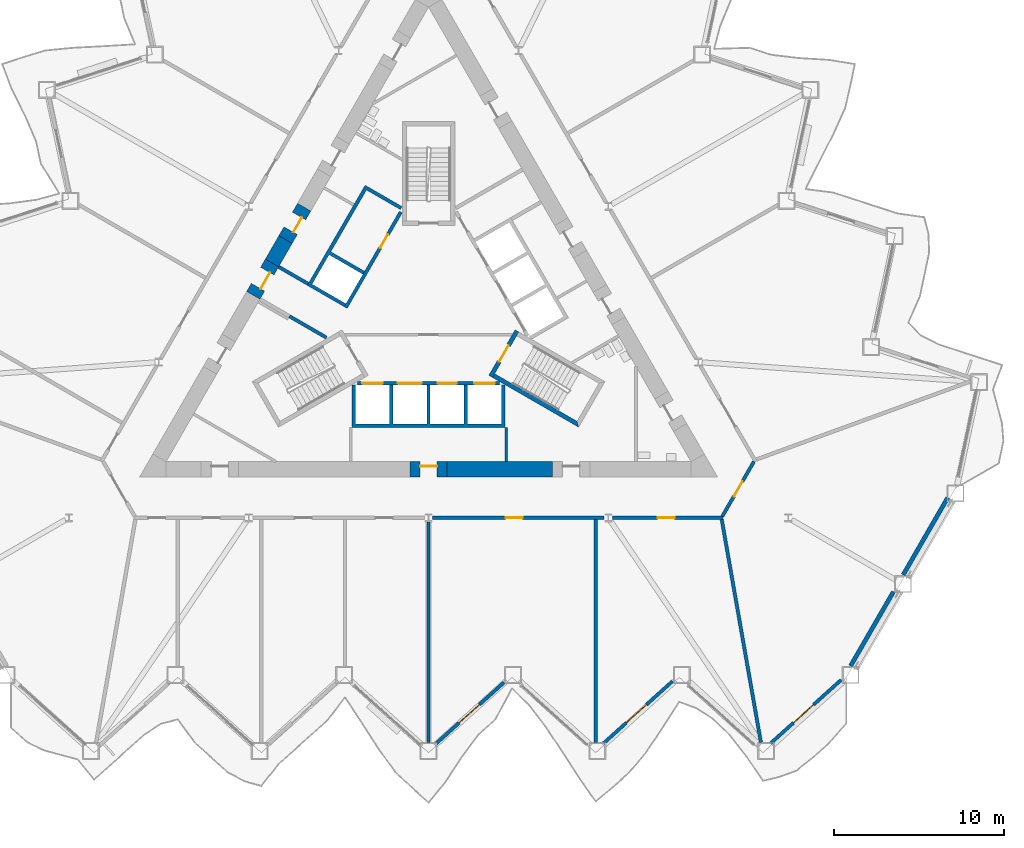
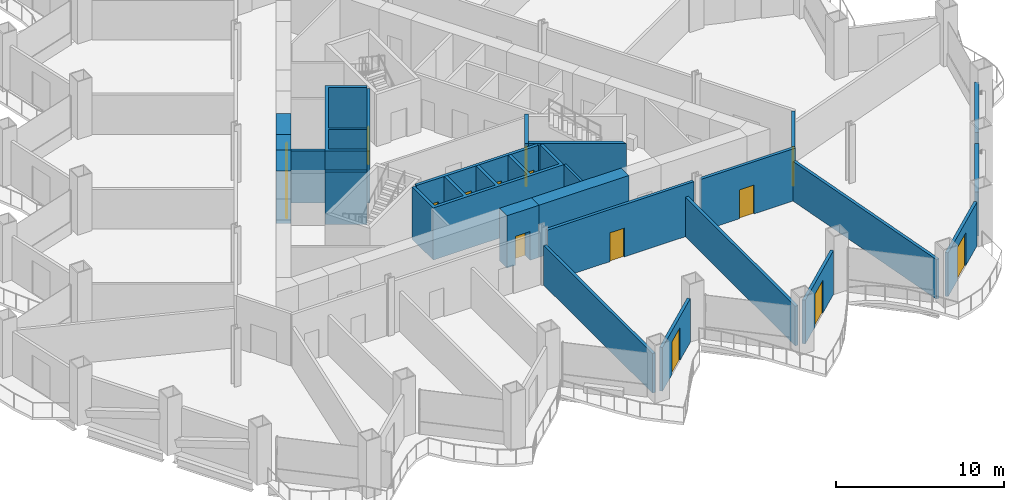
# One storey, part 10 of 21: 25 walls, 15 doors, 15 openings.
"""IFC4 building model written with IfcOpenShell, lengths in metres."""

from ifc_helpers import new_model, si_unit, direction, frame, frame_2d, origin, place, context, subcontext, project, spatial, polyline, rectangle, outline, extrude, material, layer, layer_set, type_object, element, fill, save


model = new_model("IFC4")

# Units and contexts
model_context = context("Model", 3, precision=1e-05, world=origin(), true_north=direction((0.0, 1.0)))
body_context = subcontext(model_context, "Body", "Model", "MODEL_VIEW")
ifc_project = project(units=[si_unit("LENGTHUNIT", "METRE"), si_unit("AREAUNIT", "SQUARE_METRE"), si_unit("VOLUMEUNIT", "CUBIC_METRE"), si_unit("PLANEANGLEUNIT", "RADIAN"), si_unit("MASSUNIT", "GRAM", prefix="KILO")], contexts=[model_context])

# Site, building, storey
site_placement = place(None, origin())
site = spatial("IfcSite", under=ifc_project, at=site_placement, CompositionType="ELEMENT")
building_placement = place(site_placement, origin())
building = spatial("IfcBuilding", under=site, at=building_placement, Name="Cormorant Prow Tower", CompositionType="ELEMENT")
storey_placement = place(building_placement, frame((0.0, 0.0, 72.0)))
storey = spatial("IfcBuildingStorey", under=building, at=storey_placement, Name="L15", CompositionType="ELEMENT", Elevation=72.0)

# Walls
ifc_material_1 = material(Name="Gypsum board partition")
ifc_layer_1 = layer(ifc_material_1, 0.14990234375)
ifc_layer_set_1 = layer_set([ifc_layer_1], Name="Gypsum board partition")
wall_type_1 = type_object("IfcWallType", Name="Core partition 150", PredefinedType="PARTITIONING", material=ifc_layer_set_1)
wall_1_placement = place(storey_placement, frame((4.574951171875, -6.906005859375, 0.0), z_axis=(0.0, 0.0, 1.0), x_axis=(0.0, -1.0, 0.0)))
element("IfcWall", 1, at=wall_1_placement, inside=storey, type_object=wall_type_1, Name="Service room partition", PredefinedType="PARTITIONING", context=body_context, shape_type="SweptSolid", body=[
    extrude(rectangle(XDim=2.009033203125, YDim=0.14990234375, at=frame_2d((1.00439453125, 0.0))), origin(), (0.0, 0.0, 1.0), 3.800048828125),
])
ifc_material_2 = material(Name="Concrete 8000 psi", Category="concrete")
ifc_layer_2 = layer(ifc_material_2, 0.89990234375)
ifc_layer_set_2 = layer_set([ifc_layer_2], Name="Concrete 8000 psi")
wall_type_2 = type_object("IfcWallType", Name="Core shear wall 900", PredefinedType="SHEAR", material=ifc_layer_set_2)
wall_2_placement = place(storey_placement, frame((1.10009765625, -9.364990234375, 0.0), z_axis=(0.0, 0.0, 1.0), x_axis=(1.0, 0.0, 0.0)))
element("IfcWall", 2, at=wall_2_placement, inside=storey, type_object=wall_type_2, Name="Core wall", PredefinedType="SHEAR", context=body_context, shape_type="SweptSolid", body=[
    extrude(rectangle(XDim=6.189208984375, YDim=0.89990234375, at=frame_2d((3.0947265625, 0.0))), origin(), (0.0, 0.0, 1.0), 3.800048828125),
])
wall_3_placement = place(storey_placement, frame((-8.413330078125, 4.157470703125, 0.0), z_axis=(0.0, 0.0, 1.0), x_axis=(-0.499961121316, -0.86604784924, 0.0)))
element("IfcWall", 3, at=wall_3_placement, inside=storey, type_object=wall_type_2, Name="Core wall", PredefinedType="SHEAR", context=body_context, shape_type="SweptSolid", body=[
    extrude(rectangle(XDim=1.593994140625, YDim=0.89990234375, at=frame_2d((0.796875, 0.0))), origin(), (0.0, 0.0, 1.0), 3.800048828125),
])

# Wall, opening, door
wall_4_placement = place(storey_placement, frame((-1.10009765625, -9.364990234375, 0.0), z_axis=(0.0, 0.0, 1.0), x_axis=(1.0, 0.0, 0.0)))
wall_4 = element("IfcWall", 4, at=wall_4_placement, inside=storey, type_object=wall_type_2, Name="Core wall door panel", PredefinedType="SHEAR", context=body_context, shape_type="SweptSolid", body=[
    extrude(rectangle(XDim=2.2001953125, YDim=0.89990234375, at=frame_2d((1.10009765625, 0.0))), origin(), (0.0, 0.0, 1.0), 3.800048828125),
])
opening_1_placement = place(wall_4_placement, frame((0.60009765625, 0.0, 0.0)))
opening_1 = element("IfcOpeningElement", 5, at=opening_1_placement, cuts=wall_4, Name="Opening L15-C15", PredefinedType="OPENING", context=body_context, shape_type="SweptSolid", body=[
    extrude(rectangle(XDim=1.0, YDim=2.10009765625, at=frame_2d((0.5, 1.050048828125))), frame((0.0, 0.4599609375, 0.0), z_axis=(0.0, -1.0, 0.0), x_axis=(1.0, 0.0, 0.0)), (0.0, 0.0, 1.0), 0.919921875),
])
ifc_material_3 = material(Name="Painted steel", Category="steel")
door_type_1 = type_object("IfcDoorType", Name="Service door 1000x2100", OperationType="NOTDEFINED", PredefinedType="DOOR", material=ifc_material_3)
door_1_placement = place(opening_1_placement, origin())
door_1 = element("IfcDoor", 6, at=door_1_placement, inside=storey, type_object=door_type_1, Name="Core door, Electrical room", OperationType="SINGLE_SWING_RIGHT", OverallHeight=2.10009765625, OverallWidth=1.0, PredefinedType="DOOR", context=body_context, shape_type="SweptSolid", body=[
    extrude(rectangle(XDim=1.0, YDim=2.10009765625, at=frame_2d((0.5, 1.050048828125))), frame((0.0, 0.205078125, 0.0), z_axis=(0.0, -1.0, 0.0), x_axis=(1.0, 0.0, 0.0)), (0.0, 0.0, 1.0), 0.050048828125),
])
fill(opening_1, door_1)

wall_5_placement = place(storey_placement, frame((-7.3134765625, 6.0625, 0.0), z_axis=(0.0, 0.0, 1.0), x_axis=(-0.500077893725, -0.86598042715, 0.0)))
wall_5 = element("IfcWall", 7, at=wall_5_placement, inside=storey, type_object=wall_type_2, Name="Core wall door panel", PredefinedType="SHEAR", context=body_context, shape_type="SweptSolid", body=[
    extrude(rectangle(XDim=2.199951171875, YDim=0.89990234375, at=frame_2d((1.10009765625, 0.0))), origin(), (0.0, 0.0, 1.0), 3.800048828125),
])
opening_2_placement = place(wall_5_placement, frame((0.60009765625, 0.0, 0.0)))
opening_2 = element("IfcOpeningElement", 8, at=opening_2_placement, cuts=wall_5, Name="Opening L15-C21", PredefinedType="OPENING", context=body_context, shape_type="SweptSolid", body=[
    extrude(rectangle(XDim=1.0, YDim=2.10009765625, at=frame_2d((0.5, 1.050048828125))), frame((0.0, 0.4599609375, 0.0), z_axis=(0.0, -1.0, 0.0), x_axis=(1.0, 0.0, 0.0)), (0.0, 0.0, 1.0), 0.919921875),
])
door_2_placement = place(opening_2_placement, origin())
door_2 = element("IfcDoor", 9, at=door_2_placement, inside=storey, type_object=door_type_1, Name="Core door, Refuse store", OperationType="SINGLE_SWING_RIGHT", OverallHeight=2.10009765625, OverallWidth=1.0, PredefinedType="DOOR", context=body_context, shape_type="SweptSolid", body=[
    extrude(rectangle(XDim=1.0, YDim=2.10009765625, at=frame_2d((0.5, 1.050048828125))), frame((0.0, 0.205078125, 0.0), z_axis=(0.0, -1.0, 0.0), x_axis=(1.0, 0.0, 0.0)), (0.0, 0.0, 1.0), 0.050048828125),
])
fill(opening_2, door_2)

wall_6_placement = place(storey_placement, frame((-9.210205078125, 2.777099609375, 0.0), z_axis=(0.0, 0.0, 1.0), x_axis=(-0.500077893725, -0.86598042715, 0.0)))
wall_6 = element("IfcWall", 10, at=wall_6_placement, inside=storey, type_object=wall_type_2, Name="Core wall door panel", PredefinedType="SHEAR", context=body_context, shape_type="SweptSolid", body=[
    extrude(rectangle(XDim=2.199951171875, YDim=0.89990234375, at=frame_2d((1.10009765625, 0.0))), origin(), (0.0, 0.0, 1.0), 3.800048828125),
])
opening_3_placement = place(wall_6_placement, frame((0.550048828125, 0.0, 0.0)))
opening_3 = element("IfcOpeningElement", 11, at=opening_3_placement, cuts=wall_6, Name="Opening L15-C25", PredefinedType="OPENING", context=body_context, shape_type="SweptSolid", body=[
    extrude(rectangle(XDim=1.10009765625, YDim=2.10009765625, at=frame_2d((0.550048828125, 1.050048828125))), frame((0.0, 0.4599609375, 0.0), z_axis=(0.0, -1.0, 0.0), x_axis=(1.0, 0.0, 0.0)), (0.0, 0.0, 1.0), 0.919921875),
])
ifc_material_4 = material(Name="Painted steel", Category="steel")
door_type_2 = type_object("IfcDoorType", Name="Core door 1100x2100", OperationType="NOTDEFINED", PredefinedType="DOOR", material=ifc_material_4)
door_3_placement = place(opening_3_placement, origin())
door_3 = element("IfcDoor", 12, at=door_3_placement, inside=storey, type_object=door_type_2, Name="Core door, lift lobby", OperationType="SINGLE_SWING_LEFT", OverallHeight=2.10009765625, OverallWidth=1.10009765625, PredefinedType="DOOR", context=body_context, shape_type="SweptSolid", body=[
    extrude(rectangle(XDim=1.10009765625, YDim=2.10009765625, at=frame_2d((0.550048828125, 1.050048828125))), frame((0.0, 0.205078125, 0.0), z_axis=(0.0, -1.0, 0.0), x_axis=(1.0, 0.0, 0.0)), (0.0, 0.0, 1.0), 0.050048828125),
])
fill(opening_3, door_3)

ifc_material_5 = material(Name="Gypsum board corridor wall")
ifc_layer_3 = layer(ifc_material_5, 0.199951171875)
ifc_layer_set_3 = layer_set([ifc_layer_3], Name="Gypsum board corridor wall")
wall_type_3 = type_object("IfcWallType", Name="Corridor wall 200", PredefinedType="PARTITIONING", material=ifc_layer_set_3)
wall_7_placement = place(storey_placement, frame((0.2421875, -12.215087890625, 0.0), z_axis=(0.0, 0.0, 1.0), x_axis=(1.0, 0.0, 0.0)))
wall_7 = element("IfcWall", 13, at=wall_7_placement, inside=storey, type_object=wall_type_3, Name="Corridor wall", PredefinedType="PARTITIONING", context=body_context, shape_type="SweptSolid", body=[
    extrude(rectangle(XDim=10.093994140625, YDim=0.199951171875, at=frame_2d((5.046875, 0.0))), origin(), (0.0, 0.0, 1.0), 3.800048828125),
])
opening_4_placement = place(wall_7_placement, frame((4.294189453125, 0.0, 0.0)))
opening_4 = element("IfcOpeningElement", 14, at=opening_4_placement, cuts=wall_7, Name="Opening L15-F05", PredefinedType="OPENING", context=body_context, shape_type="SweptSolid", body=[
    extrude(rectangle(XDim=1.0, YDim=2.10009765625, at=frame_2d((0.5, 1.050048828125))), frame((0.0, 0.10986328125, 0.0), z_axis=(0.0, -1.0, 0.0), x_axis=(1.0, 0.0, 0.0)), (0.0, 0.0, 1.0), 0.219970703125),
])
ifc_material_6 = material(Name="Timber door leaf", Category="wood")
door_type_3 = type_object("IfcDoorType", Name="Office door 1000x2100", OperationType="NOTDEFINED", PredefinedType="DOOR", material=ifc_material_6)
door_4_placement = place(opening_4_placement, origin())
door_4 = element("IfcDoor", 15, at=door_4_placement, inside=storey, type_object=door_type_3, Name="Open-plan office door", OperationType="SINGLE_SWING_LEFT", OverallHeight=2.10009765625, OverallWidth=1.0, PredefinedType="DOOR", context=body_context, shape_type="SweptSolid", body=[
    extrude(rectangle(XDim=1.0, YDim=2.10009765625, at=frame_2d((0.5, 1.050048828125))), frame((0.0, 0.02490234375, 0.0), z_axis=(0.0, -1.0, 0.0), x_axis=(1.0, 0.0, 0.0)), (0.0, 0.0, 1.0), 0.050048828125),
])
fill(opening_4, door_4)

wall_8_placement = place(storey_placement, frame((10.82080078125, -12.215087890625, 0.0), z_axis=(0.0, 0.0, 1.0), x_axis=(1.0, 0.0, 0.0)))
wall_8 = element("IfcWall", 16, at=wall_8_placement, inside=storey, type_object=wall_type_3, Name="Corridor wall", PredefinedType="PARTITIONING", context=body_context, shape_type="SweptSolid", body=[
    extrude(rectangle(XDim=6.510009765625, YDim=0.199951171875, at=frame_2d((3.2548828125, 0.0))), origin(), (0.0, 0.0, 1.0), 3.800048828125),
])
opening_5_placement = place(wall_8_placement, frame((2.65478515625, 0.0, 0.0)))
opening_5 = element("IfcOpeningElement", 17, at=opening_5_placement, cuts=wall_8, Name="Opening L15-F06", PredefinedType="OPENING", context=body_context, shape_type="SweptSolid", body=[
    extrude(rectangle(XDim=1.0, YDim=2.10009765625, at=frame_2d((0.5, 1.050048828125))), frame((0.0, 0.10986328125, 0.0), z_axis=(0.0, -1.0, 0.0), x_axis=(1.0, 0.0, 0.0)), (0.0, 0.0, 1.0), 0.219970703125),
])
door_5_placement = place(opening_5_placement, origin())
door_5 = element("IfcDoor", 18, at=door_5_placement, inside=storey, type_object=door_type_3, Name="Tenant suite door", OperationType="SINGLE_SWING_LEFT", OverallHeight=2.10009765625, OverallWidth=1.0, PredefinedType="DOOR", context=body_context, shape_type="SweptSolid", body=[
    extrude(rectangle(XDim=1.0, YDim=2.10009765625, at=frame_2d((0.5, 1.050048828125))), frame((0.0, 0.02490234375, 0.0), z_axis=(0.0, -1.0, 0.0), x_axis=(1.0, 0.0, 0.0)), (0.0, 0.0, 1.0), 0.050048828125),
])
fill(opening_5, door_5)

wall_9_placement = place(storey_placement, frame((17.281005859375, -12.12841796875, 0.0), z_axis=(0.0, 0.0, 1.0), x_axis=(0.499958791762, 0.866049194065, 0.0)))
wall_9 = element("IfcWall", 19, at=wall_9_placement, inside=storey, type_object=wall_type_3, Name="Corridor wall", PredefinedType="PARTITIONING", context=body_context, shape_type="SweptSolid", body=[
    extrude(rectangle(XDim=3.725830078125, YDim=0.199951171875, at=frame_2d((1.86279296875, 0.0))), origin(), (0.0, 0.0, 1.0), 3.800048828125),
])
opening_6_placement = place(wall_9_placement, frame((1.363037109375, 0.0, 0.0)))
opening_6 = element("IfcOpeningElement", 20, at=opening_6_placement, cuts=wall_9, Name="Opening L15-F07", PredefinedType="OPENING", context=body_context, shape_type="SweptSolid", body=[
    extrude(rectangle(XDim=1.0, YDim=2.10009765625, at=frame_2d((0.5, 1.050048828125))), frame((0.0, 0.10986328125, 0.0), z_axis=(0.0, -1.0, 0.0), x_axis=(1.0, 0.0, 0.0)), (0.0, 0.0, 1.0), 0.219970703125),
])
door_6_placement = place(opening_6_placement, origin())
door_6 = element("IfcDoor", 21, at=door_6_placement, inside=storey, type_object=door_type_3, Name="Tenant suite door", OperationType="SINGLE_SWING_LEFT", OverallHeight=2.10009765625, OverallWidth=1.0, PredefinedType="DOOR", context=body_context, shape_type="SweptSolid", body=[
    extrude(rectangle(XDim=1.0, YDim=2.10009765625, at=frame_2d((0.5, 1.050048828125))), frame((0.0, 0.02490234375, 0.0), z_axis=(0.0, -1.0, 0.0), x_axis=(1.0, 0.0, 0.0)), (0.0, 0.0, 1.0), 0.050048828125),
])
fill(opening_6, door_6)

# Walls
ifc_material_7 = material(Name="Gypsum board demising wall")
ifc_layer_4 = layer(ifc_material_7, 0.199951171875)
ifc_layer_set_4 = layer_set([ifc_layer_4], Name="Gypsum board demising wall")
wall_type_4 = type_object("IfcWallType", Name="Demising wall 200", PredefinedType="PARTITIONING", material=ifc_layer_set_4)
wall_10_placement = place(storey_placement, frame((17.248291015625, -12.3134765625, 0.0), z_axis=(0.0, 0.0, 1.0), x_axis=(0.173132292437, -0.984898578187, 0.0)))
element("IfcWall", 22, at=wall_10_placement, inside=storey, type_object=wall_type_4, Name="Demising wall", PredefinedType="PARTITIONING", context=body_context, shape_type="SweptSolid", body=[
    extrude(rectangle(XDim=13.308837890625, YDim=0.199951171875, at=frame_2d((6.654296875, 0.0))), origin(), (0.0, 0.0, 1.0), 2.88525390625),
])
wall_11_placement = place(storey_placement, frame((9.833984375, -25.42138671875, 0.0), z_axis=(0.0, 0.0, 1.0), x_axis=(0.0, 1.0, 0.0)))
element("IfcWall", 23, at=wall_11_placement, inside=storey, type_object=wall_type_4, Name="Demising wall", PredefinedType="PARTITIONING", context=body_context, shape_type="SweptSolid", body=[
    extrude(rectangle(XDim=13.1064453125, YDim=0.199951171875, at=frame_2d((6.55322265625, 0.0))), origin(), (0.0, 0.0, 1.0), 2.88525390625),
])
wall_12_placement = place(storey_placement, frame((0.0, -25.42138671875, 0.0), z_axis=(0.0, 0.0, 1.0), x_axis=(0.0, 1.0, 0.0)))
element("IfcWall", 24, at=wall_12_placement, inside=storey, type_object=wall_type_4, Name="Demising wall", PredefinedType="PARTITIONING", context=body_context, shape_type="SweptSolid", body=[
    extrude(rectangle(XDim=12.964111328125, YDim=0.199951171875, at=frame_2d((6.48193359375, 0.0))), origin(), (0.0, 0.0, 1.0), 2.88525390625),
])

# Wall, openings, doors
ifc_material_8 = material(Name="Concrete 5000 psi", Category="concrete")
ifc_layer_5 = layer(ifc_material_8, 0.199951171875)
ifc_layer_set_5 = layer_set([ifc_layer_5], Name="Concrete 5000 psi")
wall_type_5 = type_object("IfcWallType", Name="Lift lobby wall 200", PredefinedType="SOLIDWALL", material=ifc_layer_set_5)
wall_13_placement = place(storey_placement, frame((-4.1865234375, -4.300048828125, 0.0), z_axis=(0.0, 0.0, 1.0), x_axis=(1.0, 0.0, 0.0)))
wall_13 = element("IfcWall", 25, at=wall_13_placement, inside=storey, type_object=wall_type_5, Name="Lift lobby wall, S block", PredefinedType="SOLIDWALL", context=body_context, shape_type="SweptSolid", body=[
    extrude(rectangle(XDim=8.373046875, YDim=0.199951171875, at=frame_2d((4.1865234375, 0.0))), origin(), (0.0, 0.0, 1.0), 3.800048828125),
])
opening_7_placement = place(wall_13_placement, frame((0.28662109375, 0.0, 0.0)))
opening_7 = element("IfcOpeningElement", 26, at=opening_7_placement, cuts=wall_13, Name="Opening L15-C01", PredefinedType="OPENING", context=body_context, shape_type="SweptSolid", body=[
    extrude(rectangle(XDim=1.199951171875, YDim=2.10009765625, at=frame_2d((0.60009765625, 1.050048828125))), frame((0.0, 0.10986328125, 0.0), z_axis=(0.0, -1.0, 0.0), x_axis=(1.0, 0.0, 0.0)), (0.0, 0.0, 1.0), 0.219970703125),
])
opening_8_placement = place(wall_13_placement, frame((2.38671875, 0.0, 0.0)))
opening_8 = element("IfcOpeningElement", 27, at=opening_8_placement, cuts=wall_13, Name="Opening L15-C02", PredefinedType="OPENING", context=body_context, shape_type="SweptSolid", body=[
    extrude(rectangle(XDim=1.39990234375, YDim=2.10009765625, at=frame_2d((0.699951171875, 1.050048828125))), frame((0.0, 0.10986328125, 0.0), z_axis=(0.0, -1.0, 0.0), x_axis=(1.0, 0.0, 0.0)), (0.0, 0.0, 1.0), 0.219970703125),
])
opening_9_placement = place(wall_13_placement, frame((4.736572265625, 0.0, 0.0)))
opening_9 = element("IfcOpeningElement", 28, at=opening_9_placement, cuts=wall_13, Name="Opening L15-C03", PredefinedType="OPENING", context=body_context, shape_type="SweptSolid", body=[
    extrude(rectangle(XDim=1.10009765625, YDim=2.10009765625, at=frame_2d((0.550048828125, 1.050048828125))), frame((0.0, 0.10986328125, 0.0), z_axis=(0.0, -1.0, 0.0), x_axis=(1.0, 0.0, 0.0)), (0.0, 0.0, 1.0), 0.219970703125),
])
opening_10_placement = place(wall_13_placement, frame((6.88671875, 0.0, 0.0)))
opening_10 = element("IfcOpeningElement", 29, at=opening_10_placement, cuts=wall_13, Name="Opening L15-C04", PredefinedType="OPENING", context=body_context, shape_type="SweptSolid", body=[
    extrude(rectangle(XDim=1.199951171875, YDim=2.10009765625, at=frame_2d((0.60009765625, 1.050048828125))), frame((0.0, 0.10986328125, 0.0), z_axis=(0.0, -1.0, 0.0), x_axis=(1.0, 0.0, 0.0)), (0.0, 0.0, 1.0), 0.219970703125),
])
ifc_material_9 = material(Name="Painted steel", Category="steel")
door_type_4 = type_object("IfcDoorType", Name="Firefighting lift landing door 1200x2100", OperationType="SLIDING_TO_LEFT", PredefinedType="DOOR", material=ifc_material_9)
door_7_placement = place(opening_7_placement, origin())
door_7 = element("IfcDoor", 30, at=door_7_placement, inside=storey, type_object=door_type_4, Name="Landing door FL1", OperationType="SLIDING_TO_LEFT", OverallHeight=2.10009765625, OverallWidth=1.199951171875, PredefinedType="DOOR", context=body_context, shape_type="SweptSolid", body=[
    extrude(rectangle(XDim=1.199951171875, YDim=2.10009765625, at=frame_2d((0.60009765625, 1.050048828125))), frame((0.0, 0.02490234375, 0.0), z_axis=(0.0, -1.0, 0.0), x_axis=(1.0, 0.0, 0.0)), (0.0, 0.0, 1.0), 0.050048828125),
])
fill(opening_7, door_7)
door_8_placement = place(opening_10_placement, origin())
door_8 = element("IfcDoor", 31, at=door_8_placement, inside=storey, type_object=door_type_4, Name="Landing door FL2", OperationType="SLIDING_TO_LEFT", OverallHeight=2.10009765625, OverallWidth=1.199951171875, PredefinedType="DOOR", context=body_context, shape_type="SweptSolid", body=[
    extrude(rectangle(XDim=1.199951171875, YDim=2.10009765625, at=frame_2d((0.60009765625, 1.050048828125))), frame((0.0, 0.02490234375, 0.0), z_axis=(0.0, -1.0, 0.0), x_axis=(1.0, 0.0, 0.0)), (0.0, 0.0, 1.0), 0.050048828125),
])
fill(opening_10, door_8)
ifc_material_10 = material(Name="Painted steel", Category="steel")
door_type_5 = type_object("IfcDoorType", Name="Lift landing door 1100x2100", OperationType="SLIDING_TO_LEFT", PredefinedType="DOOR", material=ifc_material_10)
door_9_placement = place(opening_9_placement, origin())
door_9 = element("IfcDoor", 32, at=door_9_placement, inside=storey, type_object=door_type_5, Name="Landing door LR1", OperationType="SLIDING_TO_LEFT", OverallHeight=2.10009765625, OverallWidth=1.10009765625, PredefinedType="DOOR", context=body_context, shape_type="SweptSolid", body=[
    extrude(rectangle(XDim=1.10009765625, YDim=2.10009765625, at=frame_2d((0.550048828125, 1.050048828125))), frame((0.0, 0.02490234375, 0.0), z_axis=(0.0, -1.0, 0.0), x_axis=(1.0, 0.0, 0.0)), (0.0, 0.0, 1.0), 0.050048828125),
])
fill(opening_9, door_9)
ifc_material_11 = material(Name="Painted steel", Category="steel")
door_type_6 = type_object("IfcDoorType", Name="Service lift landing door 1400x2100", OperationType="SLIDING_TO_LEFT", PredefinedType="DOOR", material=ifc_material_11)
door_10_placement = place(opening_8_placement, origin())
door_10 = element("IfcDoor", 33, at=door_10_placement, inside=storey, type_object=door_type_6, Name="Landing door SL1", OperationType="SLIDING_TO_LEFT", OverallHeight=2.10009765625, OverallWidth=1.39990234375, PredefinedType="DOOR", context=body_context, shape_type="SweptSolid", body=[
    extrude(rectangle(XDim=1.39990234375, YDim=2.10009765625, at=frame_2d((0.699951171875, 1.050048828125))), frame((0.0, 0.02490234375, 0.0), z_axis=(0.0, -1.0, 0.0), x_axis=(1.0, 0.0, 0.0)), (0.0, 0.0, 1.0), 0.050048828125),
])
fill(opening_8, door_10)

# Wall, opening, door
wall_14_placement = place(storey_placement, frame((-1.630615234375, 5.775634765625, 0.0), z_axis=(0.0, 0.0, 1.0), x_axis=(-0.499992876559, -0.866029516466, 0.0)))
wall_14 = element("IfcWall", 34, at=wall_14_placement, inside=storey, type_object=wall_type_5, Name="Lift lobby wall, WNW block", PredefinedType="SOLIDWALL", context=body_context, shape_type="SweptSolid", body=[
    extrude(rectangle(XDim=6.486328125, YDim=0.199951171875, at=frame_2d((3.2431640625, 0.0))), origin(), (0.0, 0.0, 1.0), 3.800048828125),
])
opening_11_placement = place(wall_14_placement, frame((1.53662109375, 0.0, 0.0)))
opening_11 = element("IfcOpeningElement", 35, at=opening_11_placement, cuts=wall_14, Name="Opening L15-C09", PredefinedType="OPENING", context=body_context, shape_type="SweptSolid", body=[
    extrude(rectangle(XDim=0.89990234375, YDim=2.10009765625, at=frame_2d((0.449951171875, 1.050048828125))), frame((0.0, 0.10986328125, 0.0), z_axis=(0.0, -1.0, 0.0), x_axis=(1.0, 0.0, 0.0)), (0.0, 0.0, 1.0), 0.219970703125),
])
ifc_material_12 = material(Name="Painted steel", Category="steel")
door_type_7 = type_object("IfcDoorType", Name="Service door 900x2100", OperationType="NOTDEFINED", PredefinedType="DOOR", material=ifc_material_12)
door_11_placement = place(opening_11_placement, origin())
door_11 = element("IfcDoor", 36, at=door_11_placement, inside=storey, type_object=door_type_7, Name="Service door, Linen store", OperationType="SINGLE_SWING_LEFT", OverallHeight=2.10009765625, OverallWidth=0.89990234375, PredefinedType="DOOR", context=body_context, shape_type="SweptSolid", body=[
    extrude(rectangle(XDim=0.89990234375, YDim=2.10009765625, at=frame_2d((0.449951171875, 1.050048828125))), frame((0.0, 0.02490234375, 0.0), z_axis=(0.0, -1.0, 0.0), x_axis=(1.0, 0.0, 0.0)), (0.0, 0.0, 1.0), 0.050048828125),
])
fill(opening_11, door_11)

# Walls
ifc_material_13 = material(Name="Concrete 8000 psi", Category="concrete")
ifc_layer_6 = layer(ifc_material_13, 0.199951171875)
ifc_layer_set_6 = layer_set([ifc_layer_6], Name="Concrete 8000 psi")
wall_type_6 = type_object("IfcWallType", Name="Lift shaft wall 200", PredefinedType="SHEAR", material=ifc_layer_set_6)
wall_15_placement = place(storey_placement, origin())
element("IfcWall", 37, at=wall_15_placement, inside=storey, type_object=wall_type_6, Name="Lift shaft walls, S block", PredefinedType="SHEAR", context=body_context, shape_type="SweptSolid", body=[
    extrude(outline(polyline([(4.5, -4.39990234375), (4.5, -6.906005859375), (-4.5, -6.906005859375), (-4.5, -4.39990234375), (-4.300048828125, -4.39990234375), (-4.300048828125, -6.699951171875), (-2.300048828125, -6.699951171875), (-2.300048828125, -4.39990234375), (-2.10009765625, -4.39990234375), (-2.10009765625, -6.699951171875), (-0.10009765625, -6.699951171875), (-0.10009765625, -4.39990234375), (0.10009765625, -4.39990234375), (0.10009765625, -6.699951171875), (2.10009765625, -6.699951171875), (2.10009765625, -4.39990234375), (2.300048828125, -4.39990234375), (2.300048828125, -6.699951171875), (4.300048828125, -6.699951171875), (4.300048828125, -4.39990234375), (4.5, -4.39990234375)])), origin(), (0.0, 0.0, 1.0), 3.800048828125),
])
wall_16_placement = place(storey_placement, origin())
element("IfcWall", 38, at=wall_16_placement, inside=storey, type_object=wall_type_6, Name="Lift shaft walls, WNW block", PredefinedType="SHEAR", context=body_context, shape_type="SweptSolid", body=[
    extrude(outline(polyline([(-6.060546875, -1.697021484375), (-8.230712890625, -0.444091796875), (-8.130859375, -0.27099609375), (-5.96044921875, -1.52392578125), (-6.060546875, -1.697021484375)])), origin(), (0.0, 0.0, 1.0), 3.800048828125),
])
wall_17_placement = place(storey_placement, origin())
element("IfcWall", 39, at=wall_17_placement, inside=storey, type_object=wall_type_6, Name="Lift shaft walls, WNW block", PredefinedType="SHEAR", context=body_context, shape_type="SweptSolid", body=[
    extrude(outline(polyline([(-4.96044921875, 0.2080078125), (-7.130859375, 1.461181640625), (-3.730712890625, 7.35009765625), (-1.560546875, 6.09716796875), (-1.660400390625, 5.923828125), (-3.65234375, 7.073974609375), (-5.75244140625, 3.4365234375), (-3.760498046875, 2.28662109375), (-3.860595703125, 2.11328125), (-5.852294921875, 3.263427734375), (-6.852294921875, 1.53125), (-4.860595703125, 0.38134765625), (-4.96044921875, 0.2080078125)])), origin(), (0.0, 0.0, 1.0), 3.800048828125),
])
wall_18_placement = place(storey_placement, frame((-7.080810546875, 1.547607421875, 0.0), z_axis=(0.0, 0.0, 1.0), x_axis=(-0.865983199114, 0.50007309351, 0.0)))
element("IfcWall", 40, at=wall_18_placement, inside=storey, type_object=wall_type_6, Name="Lobby passage wall", PredefinedType="SHEAR", context=body_context, shape_type="SweptSolid", body=[
    extrude(rectangle(XDim=2.009033203125, YDim=0.199951171875, at=frame_2d((1.00439453125, 0.0))), origin(), (0.0, 0.0, 1.0), 3.800048828125),
])
ifc_material_14 = material(Name="Concrete 8000 psi", Category="concrete")
ifc_layer_7 = layer(ifc_material_14, 0.25)
ifc_layer_set_7 = layer_set([ifc_layer_7], Name="Concrete 8000 psi")
wall_type_7 = type_object("IfcWallType", Name="Stair wall 250", PredefinedType="SHEAR", material=ifc_layer_set_7)
wall_19_placement = place(storey_placement, origin())
element("IfcWall", 41, at=wall_19_placement, inside=storey, type_object=wall_type_7, Name="Stair ST2 enclosure wall (flank)", PredefinedType="SHEAR", context=body_context, shape_type="SweptSolid", body=[
    extrude(outline(polyline([(3.76318359375, -3.95556640625), (8.82958984375, -6.880615234375), (8.738037109375, -6.5390625), (3.88818359375, -3.739013671875), (3.76318359375, -3.95556640625)])), origin(), (0.0, 0.0, 1.0), 3.800048828125),
])

# Wall, opening, door
wall_20_placement = place(storey_placement, frame((3.655029296875, -3.89306640625, 0.0), z_axis=(0.0, 0.0, 1.0), x_axis=(0.499982516597, 0.866035497597, 0.0)))
wall_20 = element("IfcWall", 42, at=wall_20_placement, inside=storey, type_object=wall_type_7, Name="Stair ST2 door wall", PredefinedType="SHEAR", context=body_context, shape_type="SweptSolid", body=[
    extrude(rectangle(XDim=3.087890625, YDim=0.25, at=frame_2d((1.5439453125, 0.0))), origin(), (0.0, 0.0, 1.0), 3.800048828125),
])
opening_12_placement = place(wall_20_placement, frame((0.993896484375, 0.0, 0.0)))
opening_12 = element("IfcOpeningElement", 43, at=opening_12_placement, cuts=wall_20, Name="Opening L15-C12", PredefinedType="OPENING", context=body_context, shape_type="SweptSolid", body=[
    extrude(rectangle(XDim=1.10009765625, YDim=2.10009765625, at=frame_2d((0.550048828125, 1.050048828125))), frame((0.0, 0.135009765625, 0.0), z_axis=(0.0, -1.0, 0.0), x_axis=(1.0, 0.0, 0.0)), (0.0, 0.0, 1.0), 0.27001953125),
])
ifc_material_15 = material(Name="Painted steel", Category="steel")
door_type_8 = type_object("IfcDoorType", Name="Stair door 1100x2100", OperationType="NOTDEFINED", PredefinedType="DOOR", material=ifc_material_15)
door_12_placement = place(opening_12_placement, origin())
door_12 = element("IfcDoor", 44, at=door_12_placement, inside=storey, type_object=door_type_8, Name="Stair ST2 door", OperationType="SINGLE_SWING_RIGHT", OverallHeight=2.10009765625, OverallWidth=1.10009765625, PredefinedType="DOOR", context=body_context, shape_type="SweptSolid", body=[
    extrude(rectangle(XDim=1.10009765625, YDim=2.10009765625, at=frame_2d((0.550048828125, 1.050048828125))), frame((0.0, 0.02490234375, 0.0), z_axis=(0.0, -1.0, 0.0), x_axis=(1.0, 0.0, 0.0)), (0.0, 0.0, 1.0), 0.050048828125),
])
fill(opening_12, door_12)

# Walls
ifc_material_16 = material(Name="Terracotta", Category="masonry")
ifc_layer_8 = layer(ifc_material_16, 0.25)
ifc_layer_set_8 = layer_set([ifc_layer_8], Name="Terracotta")
wall_type_8 = type_object("IfcWallType", Name="Terracotta bay wall 250", PredefinedType="SOLIDWALL", material=ifc_layer_set_8)
wall_21_placement = place(storey_placement, frame((24.828369140625, -20.93017578125, 0.0), z_axis=(0.0, 0.0, 1.0), x_axis=(0.500021659459, 0.866012898329, 0.0)))
element("IfcWall", 45, at=wall_21_placement, inside=storey, type_object=wall_type_8, Name="Terracotta bay wall ESE00", PredefinedType="SOLIDWALL", context=body_context, shape_type="SweptSolid", body=[
    extrude(rectangle(XDim=5.038330078125, YDim=0.25, at=frame_2d((2.51904296875, 0.0))), origin(), (0.0, 0.0, 1.0), 3.18896484375),
])
wall_22_placement = place(storey_placement, frame((27.9248046875, -15.56689453125, 0.0), z_axis=(0.0, 0.0, 1.0), x_axis=(0.500009302692, 0.866020032806, 0.0)))
element("IfcWall", 46, at=wall_22_placement, inside=storey, type_object=wall_type_8, Name="Terracotta bay wall ESE01", PredefinedType="SOLIDWALL", context=body_context, shape_type="SweptSolid", body=[
    extrude(rectangle(XDim=5.23095703125, YDim=0.25, at=frame_2d((2.615478515625, 0.0))), origin(), (0.0, 0.0, 1.0), 3.18896484375),
])

# Wall, opening, door
ifc_material_17 = material(Name="Terracotta", Category="masonry")
ifc_layer_9 = layer(ifc_material_17, 0.199951171875)
ifc_layer_set_9 = layer_set([ifc_layer_9], Name="Terracotta")
wall_type_9 = type_object("IfcWallType", Name="Terracotta jamb wall 200", PredefinedType="SOLIDWALL", material=ifc_layer_set_9)
wall_23_placement = place(storey_placement, frame((0.45556640625, -25.484130859375, 0.0), z_axis=(0.0, 0.0, 1.0), x_axis=(0.743130923857, 0.66914604535, 0.0)))
wall_23 = element("IfcWall", 47, at=wall_23_placement, inside=storey, type_object=wall_type_9, Name="Terracotta jamb wall S05", PredefinedType="SOLIDWALL", context=body_context, shape_type="SweptSolid", body=[
    extrude(rectangle(XDim=5.355712890625, YDim=0.199951171875, at=frame_2d((2.677734375, 0.0))), origin(), (0.0, 0.0, 1.0), 3.18896484375),
])
opening_13_placement = place(wall_23_placement, frame((1.80517578125, 0.0, 0.0)))
opening_13 = element("IfcOpeningElement", 48, at=opening_13_placement, cuts=wall_23, Name="Opening ED15.03", PredefinedType="OPENING", context=body_context, shape_type="SweptSolid", body=[
    extrude(rectangle(XDim=1.60009765625, YDim=2.39990234375, at=frame_2d((0.800048828125, 1.199951171875))), frame((0.0, 0.10986328125, 0.0), z_axis=(0.0, -1.0, 0.0), x_axis=(1.0, 0.0, 0.0)), (0.0, 0.0, 1.0), 0.219970703125),
])
ifc_material_18 = material(Name="Aluminium 6063-T6", Category="aluminium")
door_type_9 = type_object("IfcDoorType", Name="Balcony door 1600x2400", OperationType="DOUBLE_DOOR_SINGLE_SWING", PredefinedType="DOOR", material=ifc_material_18)
door_13_placement = place(opening_13_placement, origin())
door_13 = element("IfcDoor", 49, at=door_13_placement, inside=storey, type_object=door_type_9, Name="Balcony door S05 ED15.03", OperationType="DOUBLE_DOOR_SINGLE_SWING", OverallHeight=2.39990234375, OverallWidth=1.60009765625, PredefinedType="DOOR", context=body_context, shape_type="SweptSolid", body=[
    extrude(rectangle(XDim=1.60009765625, YDim=2.39990234375, at=frame_2d((0.800048828125, 1.199951171875))), frame((0.0, 0.02490234375, 0.0), z_axis=(0.0, -1.0, 0.0), x_axis=(1.0, 0.0, 0.0)), (0.0, 0.0, 1.0), 0.050048828125),
])
fill(opening_13, door_13)

wall_24_placement = place(storey_placement, frame((10.28955078125, -25.484130859375, 0.0), z_axis=(0.0, 0.0, 1.0), x_axis=(0.743138399779, 0.669137742751, 0.0)))
wall_24 = element("IfcWall", 50, at=wall_24_placement, inside=storey, type_object=wall_type_9, Name="Terracotta jamb wall S07", PredefinedType="SOLIDWALL", context=body_context, shape_type="SweptSolid", body=[
    extrude(rectangle(XDim=5.456787109375, YDim=0.199951171875, at=frame_2d((2.728515625, 0.0))), origin(), (0.0, 0.0, 1.0), 3.18896484375),
])
opening_14_placement = place(wall_24_placement, frame((1.80517578125, 0.0, 0.0)))
opening_14 = element("IfcOpeningElement", 51, at=opening_14_placement, cuts=wall_24, Name="Opening ED15.04", PredefinedType="OPENING", context=body_context, shape_type="SweptSolid", body=[
    extrude(rectangle(XDim=1.60009765625, YDim=2.39990234375, at=frame_2d((0.800048828125, 1.199951171875))), frame((0.0, 0.10986328125, 0.0), z_axis=(0.0, -1.0, 0.0), x_axis=(1.0, 0.0, 0.0)), (0.0, 0.0, 1.0), 0.219970703125),
])
door_14_placement = place(opening_14_placement, origin())
door_14 = element("IfcDoor", 52, at=door_14_placement, inside=storey, type_object=door_type_9, Name="Balcony door S07 ED15.04", OperationType="DOUBLE_DOOR_SINGLE_SWING", OverallHeight=2.39990234375, OverallWidth=1.60009765625, PredefinedType="DOOR", context=body_context, shape_type="SweptSolid", body=[
    extrude(rectangle(XDim=1.60009765625, YDim=2.39990234375, at=frame_2d((0.800048828125, 1.199951171875))), frame((0.0, 0.02490234375, 0.0), z_axis=(0.0, -1.0, 0.0), x_axis=(1.0, 0.0, 0.0)), (0.0, 0.0, 1.0), 0.050048828125),
])
fill(opening_14, door_14)

wall_25_placement = place(storey_placement, frame((20.12353515625, -25.484130859375, 0.0), z_axis=(0.0, 0.0, 1.0), x_axis=(0.74315945765, 0.669114355327, 0.0)))
wall_25 = element("IfcWall", 53, at=wall_25_placement, inside=storey, type_object=wall_type_9, Name="Terracotta jamb wall S09", PredefinedType="SOLIDWALL", context=body_context, shape_type="SweptSolid", body=[
    extrude(rectangle(XDim=5.588623046875, YDim=0.199951171875, at=frame_2d((2.79443359375, 0.0))), origin(), (0.0, 0.0, 1.0), 3.18896484375),
])
opening_15_placement = place(wall_25_placement, frame((1.80517578125, 0.0, 0.0)))
opening_15 = element("IfcOpeningElement", 54, at=opening_15_placement, cuts=wall_25, Name="Opening ED15.05", PredefinedType="OPENING", context=body_context, shape_type="SweptSolid", body=[
    extrude(rectangle(XDim=1.60009765625, YDim=2.39990234375, at=frame_2d((0.800048828125, 1.199951171875))), frame((0.0, 0.10986328125, 0.0), z_axis=(0.0, -1.0, 0.0), x_axis=(1.0, 0.0, 0.0)), (0.0, 0.0, 1.0), 0.219970703125),
])
door_15_placement = place(opening_15_placement, origin())
door_15 = element("IfcDoor", 55, at=door_15_placement, inside=storey, type_object=door_type_9, Name="Balcony door S09 ED15.05", OperationType="DOUBLE_DOOR_SINGLE_SWING", OverallHeight=2.39990234375, OverallWidth=1.60009765625, PredefinedType="DOOR", context=body_context, shape_type="SweptSolid", body=[
    extrude(rectangle(XDim=1.60009765625, YDim=2.39990234375, at=frame_2d((0.800048828125, 1.199951171875))), frame((0.0, 0.02490234375, 0.0), z_axis=(0.0, -1.0, 0.0), x_axis=(1.0, 0.0, 0.0)), (0.0, 0.0, 1.0), 0.050048828125),
])
fill(opening_15, door_15)

save(model, "model.ifc")
